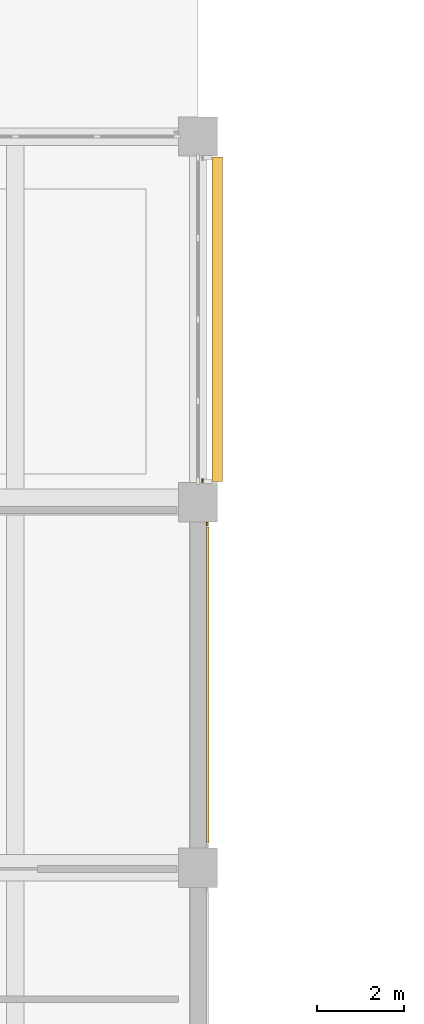
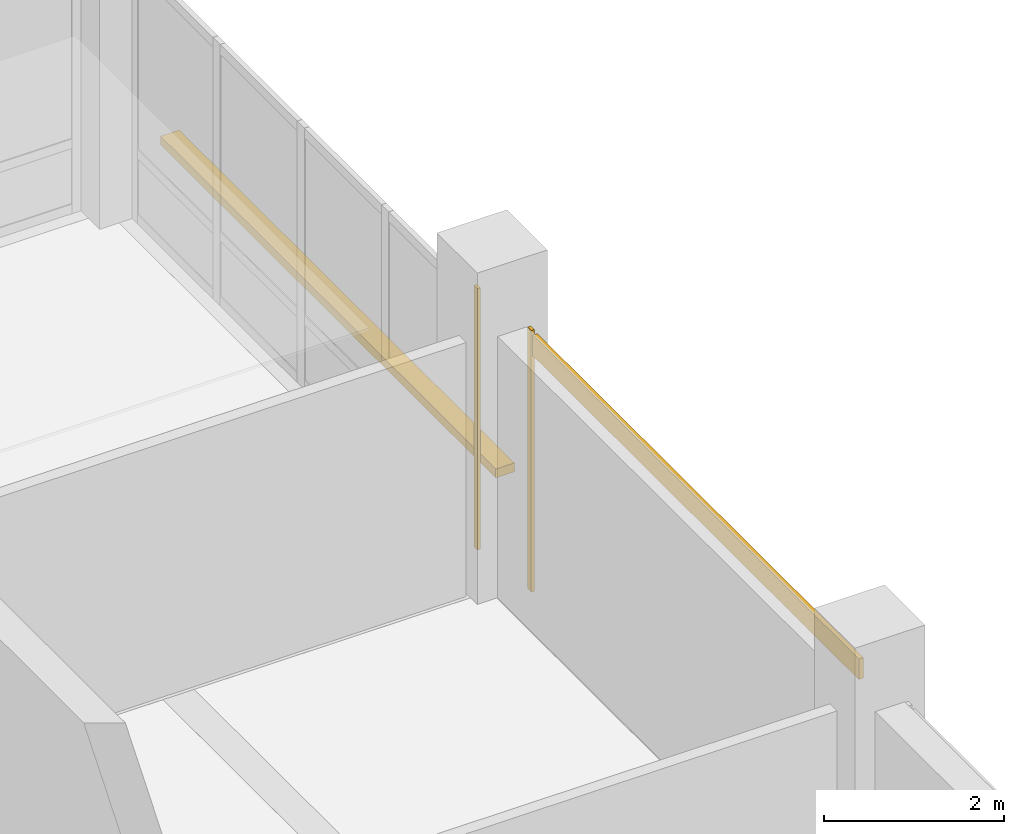
# One storey, part 55 of 59: 3 coverings, 1 shading device.
"""IFC4 building model written with IfcOpenShell, lengths in metres."""

from ifc_helpers import new_model, si_unit, direction, frame, origin, origin_2d, place, context, subcontext, project, spatial, rectangle, extrude, material, layer, layer_set, type_object, element, save


model = new_model("IFC4")

# Units and contexts
model_context = context("Model", 3, precision=1e-05, world=origin(), true_north=direction((0.0, 1.0)))
body_context = subcontext(model_context, "Body", "Model", "MODEL_VIEW")
ifc_project = project(units=[si_unit("LENGTHUNIT", "METRE"), si_unit("AREAUNIT", "SQUARE_METRE"), si_unit("VOLUMEUNIT", "CUBIC_METRE"), si_unit("PLANEANGLEUNIT", "RADIAN"), si_unit("MASSUNIT", "GRAM", prefix="KILO")], contexts=[model_context])

# Site, building, storey
site_placement = place(None, origin())
site = spatial("IfcSite", under=ifc_project, at=site_placement, CompositionType="ELEMENT")
building_placement = place(site_placement, origin())
building = spatial("IfcBuilding", under=site, at=building_placement, Name="Telukmera Botanical Conservatory", CompositionType="ELEMENT")
storey_placement = place(building_placement, frame((0.0, 0.0, 15.0)))
storey = spatial("IfcBuildingStorey", under=building, at=storey_placement, Name="L03", CompositionType="ELEMENT", Elevation=15.0)

# Coverings
ifc_material_1 = material(Name="Granite-faced precast concrete C40/50", Category="masonry")
ifc_layer_1 = layer(ifc_material_1, 0.0400390625)
ifc_layer_set_1 = layer_set([ifc_layer_1], Name="Granite-faced precast concrete C40/50")
covering_type_1 = type_object("IfcCoveringType", Name="Granite Precast Column Pier Reveal Casing", PredefinedType="CLADDING", material=ifc_layer_set_1)
for number, where, z_axis, x_axis, name in (
    (1, (109.409912109375, 33.89794921875, 0.0), (0.0, 0.0, 1.0), (0.0, 1.0, 0.0), "Granite Pier Reveal V4:L03:E3 R"),
    (2, (109.300048828125, 34.902099609375, 0.0), (0.0, 0.0, 1.0), (0.0, 1.0, 0.0), "Granite Pier Reveal V4:L03:E4 L"),
):
    element("IfcCovering", number, at=place(storey_placement, frame(where, z_axis=z_axis, x_axis=x_axis)), inside=storey, type_object=covering_type_1, Name=name, PredefinedType="CLADDING", context=body_context, shape_type="SweptSolid", body=[
        extrude(rectangle(XDim=0.080078125, YDim=0.0400390625, at=origin_2d()), origin(), (0.0, 0.0, 1.0), 3.550048828125),
    ])

# Shading device
ifc_material_2 = material(Name="Perforated terracotta-anodised aluminium 6063-T6", Category="masonry")
ifc_layer_2 = layer(ifc_material_2, 0.044921875)
ifc_layer_set_2 = layer_set([ifc_layer_2], Name="Perforated terracotta-anodised aluminium 6063-T6")
shading_device_type = type_object("IfcShadingDeviceType", Name="Perforated Terracotta Aluminium Monsoon Brise Soleil", PredefinedType="JALOUSIE", material=ifc_layer_set_2)
shading_device_placement = place(storey_placement, frame((109.639892578125, 38.60009765625, 0.889892578125), z_axis=(0.0, 0.0, 1.0), x_axis=(0.0, 1.0, 0.0)))
element("IfcShadingDevice", 3, at=shading_device_placement, inside=storey, type_object=shading_device_type, Name="Monsoon Shading BS01 V4:L03:E4", PredefinedType="JALOUSIE", context=body_context, shape_type="SweptSolid", body=[
    extrude(rectangle(XDim=7.4560546875, YDim=0.239990234375, at=origin_2d()), origin(), (0.0, 0.0, 1.0), 0.1201171875),
])

# Covering
ifc_material_3 = material(Name="Terracotta-faced precast concrete C40/50", Category="masonry")
ifc_layer_3 = layer(ifc_material_3, 0.06005859375)
ifc_layer_set_3 = layer_set([ifc_layer_3], Name="Terracotta-faced precast concrete C40/50")
covering_type_2 = type_object("IfcCoveringType", Name="Polychrome Terracotta Facade Band Cladding", PredefinedType="CLADDING", material=ifc_layer_set_3)
covering_placement = place(storey_placement, frame((109.419921875, 30.199951171875, 3.22998046875), z_axis=(0.0, 0.0, 1.0), x_axis=(0.0, 1.0, 0.0)))
element("IfcCovering", 4, at=covering_placement, inside=storey, type_object=covering_type_2, Name="Polychrome Terracotta Band V4:L03:E3", PredefinedType="CLADDING", context=body_context, shape_type="SweptSolid", body=[
    extrude(rectangle(XDim=7.256103515625, YDim=0.06005859375, at=origin_2d()), origin(), (0.0, 0.0, 1.0), 0.280029296875),
])

save(model, "model.ifc")
